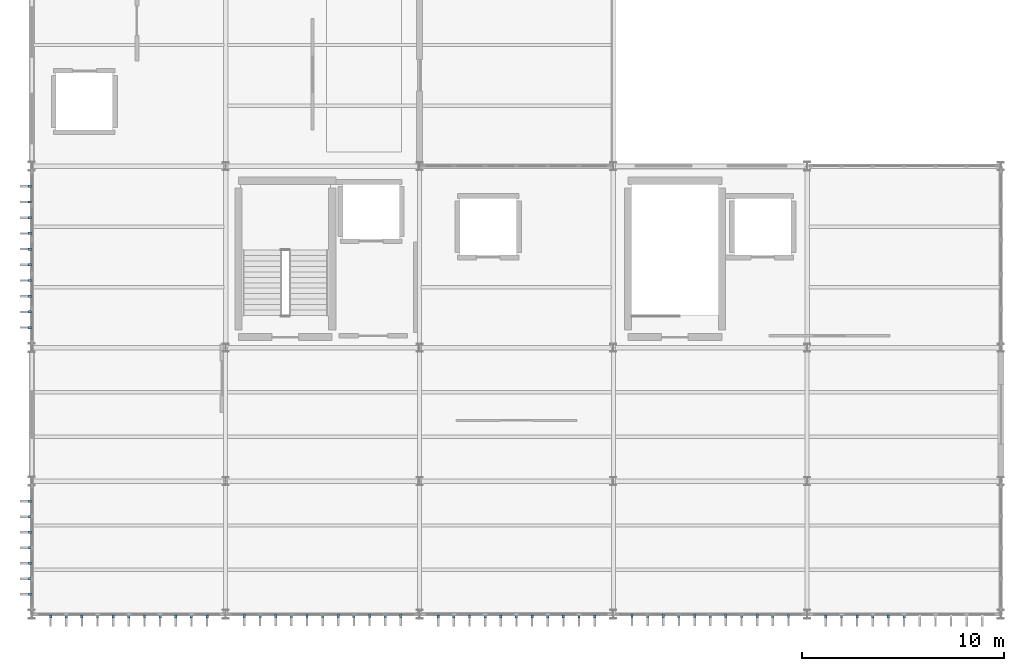
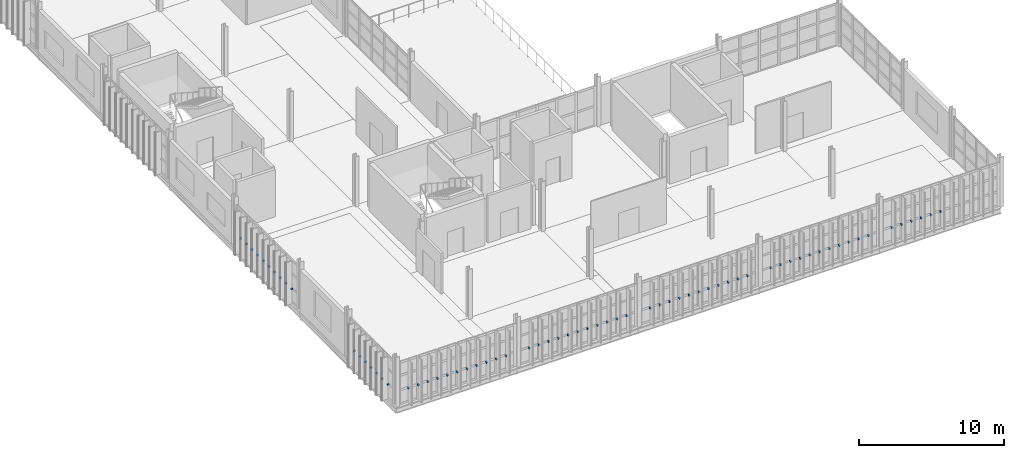
# One storey, part 21 of 38: 67 discrete accessories.
"""IFC4 building model written with IfcOpenShell, lengths in metres."""

from ifc_helpers import new_model, si_unit, direction, frame, origin, origin_2d, place, context, subcontext, project, spatial, rectangle, extrude, material, type_object, element, save


model = new_model("IFC4")

# Units and contexts
model_context = context("Model", 3, precision=1e-05, world=origin(), true_north=direction((0.0, 1.0)))
body_context = subcontext(model_context, "Body", "Model", "MODEL_VIEW")
ifc_project = project(units=[si_unit("LENGTHUNIT", "METRE"), si_unit("AREAUNIT", "SQUARE_METRE"), si_unit("VOLUMEUNIT", "CUBIC_METRE"), si_unit("PLANEANGLEUNIT", "RADIAN"), si_unit("MASSUNIT", "GRAM", prefix="KILO")], contexts=[model_context])

# Site, building, storey
site_placement = place(None, origin())
site = spatial("IfcSite", under=ifc_project, at=site_placement, CompositionType="ELEMENT")
building_placement = place(site_placement, origin())
building = spatial("IfcBuilding", under=site, at=building_placement, Name="Zarnetskaya Central Station", CompositionType="ELEMENT")
storey_placement = place(building_placement, frame((0.0, 0.0, 18.60009765625)))
storey = spatial("IfcBuildingStorey", under=building, at=storey_placement, Name="L04", CompositionType="ELEMENT", Elevation=18.60009765625)

# Discrete accessories
ifc_material = material(Name="Steel S355", Category="steel")
discrete_accessory_type = type_object("IfcDiscreteAccessoryType", Name="ACC-FIN-BRACKET", PredefinedType="BRACKET", material=ifc_material)
for number, where, z_axis, x_axis, name in (
    (1, (-0.090087890625, 0.99365234375, 1.14990234375), (0.0, 0.0, 1.0), (0.0, 1.0, 0.0), "Timber fin fixing bracket CW-L04-047-01"),
    (2, (-0.090087890625, 1.762451171875, 1.14990234375), (0.0, 0.0, 1.0), (0.0, 1.0, 0.0), "Timber fin fixing bracket CW-L04-047-02"),
    (3, (-0.090087890625, 2.53125, 1.14990234375), (0.0, 0.0, 1.0), (0.0, 1.0, 0.0), "Timber fin fixing bracket CW-L04-047-03"),
    (4, (-0.090087890625, 3.300048828125, 1.14990234375), (0.0, 0.0, 1.0), (0.0, 1.0, 0.0), "Timber fin fixing bracket CW-L04-047-04"),
    (5, (-0.090087890625, 4.06884765625, 1.14990234375), (0.0, 0.0, 1.0), (0.0, 1.0, 0.0), "Timber fin fixing bracket CW-L04-047-05"),
    (6, (-0.090087890625, 4.83740234375, 1.14990234375), (0.0, 0.0, 1.0), (0.0, 1.0, 0.0), "Timber fin fixing bracket CW-L04-047-06"),
    (7, (-0.090087890625, 5.606201171875, 1.14990234375), (0.0, 0.0, 1.0), (0.0, 1.0, 0.0), "Timber fin fixing bracket CW-L04-047-07"),
    (8, (-0.110107421875, 14.202392578125, 1.14990234375), (0.0, 0.0, 1.0), (0.0, 1.0, 0.0), "Timber fin fixing bracket CW-L04-048-01"),
    (9, (-0.110107421875, 14.9794921875, 1.14990234375), (0.0, 0.0, 1.0), (0.0, 1.0, 0.0), "Timber fin fixing bracket CW-L04-048-02"),
    (10, (-0.110107421875, 15.7568359375, 1.14990234375), (0.0, 0.0, 1.0), (0.0, 1.0, 0.0), "Timber fin fixing bracket CW-L04-048-03"),
    (11, (-0.110107421875, 16.5341796875, 1.14990234375), (0.0, 0.0, 1.0), (0.0, 1.0, 0.0), "Timber fin fixing bracket CW-L04-048-04"),
    (12, (-0.110107421875, 17.311279296875, 1.14990234375), (0.0, 0.0, 1.0), (0.0, 1.0, 0.0), "Timber fin fixing bracket CW-L04-048-05"),
    (13, (-0.110107421875, 18.088623046875, 1.14990234375), (0.0, 0.0, 1.0), (0.0, 1.0, 0.0), "Timber fin fixing bracket CW-L04-048-06"),
    (14, (-0.110107421875, 18.865966796875, 1.14990234375), (0.0, 0.0, 1.0), (0.0, 1.0, 0.0), "Timber fin fixing bracket CW-L04-048-07"),
    (15, (-0.110107421875, 19.64306640625, 1.14990234375), (0.0, 0.0, 1.0), (0.0, 1.0, 0.0), "Timber fin fixing bracket CW-L04-048-08"),
    (16, (-0.110107421875, 20.42041015625, 1.14990234375), (0.0, 0.0, 1.0), (0.0, 1.0, 0.0), "Timber fin fixing bracket CW-L04-048-09"),
    (17, (-0.110107421875, 21.19775390625, 1.14990234375), (0.0, 0.0, 1.0), (0.0, 1.0, 0.0), "Timber fin fixing bracket CW-L04-048-10"),
    (18, (43.199951171875, -0.110107421875, 1.177734375), (0.0, 0.0, 1.0), (-1.0, 0.0, 0.0), "Timber fin fixing bracket CW-L04-058-06"),
    (19, (42.425048828125, -0.110107421875, 1.177734375), (0.0, 0.0, 1.0), (-1.0, 0.0, 0.0), "Timber fin fixing bracket CW-L04-058-07"),
    (20, (41.64990234375, -0.110107421875, 1.177734375), (0.0, 0.0, 1.0), (-1.0, 0.0, 0.0), "Timber fin fixing bracket CW-L04-058-08"),
    (21, (40.875, -0.110107421875, 1.177734375), (0.0, 0.0, 1.0), (-1.0, 0.0, 0.0), "Timber fin fixing bracket CW-L04-058-09"),
    (22, (40.10009765625, -0.110107421875, 1.177734375), (0.0, 0.0, 1.0), (-1.0, 0.0, 0.0), "Timber fin fixing bracket CW-L04-058-10"),
    (23, (39.324951171875, -0.110107421875, 1.177734375), (0.0, 0.0, 1.0), (-1.0, 0.0, 0.0), "Timber fin fixing bracket CW-L04-058-11"),
    (24, (37.47509765625, -0.090087890625, 1.14990234375), (0.0, 0.0, 1.0), (-1.0, 0.0, 0.0), "Timber fin fixing bracket CW-L04-059-01"),
    (25, (36.699951171875, -0.090087890625, 1.14990234375), (0.0, 0.0, 1.0), (-1.0, 0.0, 0.0), "Timber fin fixing bracket CW-L04-059-02"),
    (26, (35.925048828125, -0.090087890625, 1.14990234375), (0.0, 0.0, 1.0), (-1.0, 0.0, 0.0), "Timber fin fixing bracket CW-L04-059-03"),
    (27, (35.14990234375, -0.090087890625, 1.14990234375), (0.0, 0.0, 1.0), (-1.0, 0.0, 0.0), "Timber fin fixing bracket CW-L04-059-04"),
    (28, (34.375, -0.090087890625, 1.14990234375), (0.0, 0.0, 1.0), (-1.0, 0.0, 0.0), "Timber fin fixing bracket CW-L04-059-05"),
    (29, (33.60009765625, -0.090087890625, 1.14990234375), (0.0, 0.0, 1.0), (-1.0, 0.0, 0.0), "Timber fin fixing bracket CW-L04-059-06"),
    (30, (32.824951171875, -0.090087890625, 1.14990234375), (0.0, 0.0, 1.0), (-1.0, 0.0, 0.0), "Timber fin fixing bracket CW-L04-059-07"),
    (31, (32.050048828125, -0.090087890625, 1.14990234375), (0.0, 0.0, 1.0), (-1.0, 0.0, 0.0), "Timber fin fixing bracket CW-L04-059-08"),
    (32, (31.27490234375, -0.090087890625, 1.14990234375), (0.0, 0.0, 1.0), (-1.0, 0.0, 0.0), "Timber fin fixing bracket CW-L04-059-09"),
    (33, (30.5, -0.090087890625, 1.14990234375), (0.0, 0.0, 1.0), (-1.0, 0.0, 0.0), "Timber fin fixing bracket CW-L04-059-10"),
    (34, (29.72509765625, -0.090087890625, 1.14990234375), (0.0, 0.0, 1.0), (-1.0, 0.0, 0.0), "Timber fin fixing bracket CW-L04-059-11"),
    (35, (27.875, -0.110107421875, 1.14990234375), (0.0, 0.0, 1.0), (-1.0, 0.0, 0.0), "Timber fin fixing bracket CW-L04-060-01"),
    (36, (27.10009765625, -0.110107421875, 1.14990234375), (0.0, 0.0, 1.0), (-1.0, 0.0, 0.0), "Timber fin fixing bracket CW-L04-060-02"),
    (37, (26.324951171875, -0.110107421875, 1.14990234375), (0.0, 0.0, 1.0), (-1.0, 0.0, 0.0), "Timber fin fixing bracket CW-L04-060-03"),
    (38, (25.550048828125, -0.110107421875, 1.14990234375), (0.0, 0.0, 1.0), (-1.0, 0.0, 0.0), "Timber fin fixing bracket CW-L04-060-04"),
    (39, (24.77490234375, -0.110107421875, 1.14990234375), (0.0, 0.0, 1.0), (-1.0, 0.0, 0.0), "Timber fin fixing bracket CW-L04-060-05"),
    (40, (24.0, -0.110107421875, 1.14990234375), (0.0, 0.0, 1.0), (-1.0, 0.0, 0.0), "Timber fin fixing bracket CW-L04-060-06"),
    (41, (23.22509765625, -0.110107421875, 1.14990234375), (0.0, 0.0, 1.0), (-1.0, 0.0, 0.0), "Timber fin fixing bracket CW-L04-060-07"),
    (42, (22.449951171875, -0.110107421875, 1.14990234375), (0.0, 0.0, 1.0), (-1.0, 0.0, 0.0), "Timber fin fixing bracket CW-L04-060-08"),
    (43, (21.675048828125, -0.110107421875, 1.14990234375), (0.0, 0.0, 1.0), (-1.0, 0.0, 0.0), "Timber fin fixing bracket CW-L04-060-09"),
    (44, (20.89990234375, -0.110107421875, 1.14990234375), (0.0, 0.0, 1.0), (-1.0, 0.0, 0.0), "Timber fin fixing bracket CW-L04-060-10"),
    (45, (20.125, -0.110107421875, 1.14990234375), (0.0, 0.0, 1.0), (-1.0, 0.0, 0.0), "Timber fin fixing bracket CW-L04-060-11"),
    (46, (18.27490234375, -0.090087890625, 1.14990234375), (0.0, 0.0, 1.0), (-1.0, 0.0, 0.0), "Timber fin fixing bracket CW-L04-061-01"),
    (47, (17.5, -0.090087890625, 1.14990234375), (0.0, 0.0, 1.0), (-1.0, 0.0, 0.0), "Timber fin fixing bracket CW-L04-061-02"),
    (48, (16.72509765625, -0.090087890625, 1.14990234375), (0.0, 0.0, 1.0), (-1.0, 0.0, 0.0), "Timber fin fixing bracket CW-L04-061-03"),
    (49, (15.949951171875, -0.090087890625, 1.14990234375), (0.0, 0.0, 1.0), (-1.0, 0.0, 0.0), "Timber fin fixing bracket CW-L04-061-04"),
    (50, (15.175048828125, -0.090087890625, 1.14990234375), (0.0, 0.0, 1.0), (-1.0, 0.0, 0.0), "Timber fin fixing bracket CW-L04-061-05"),
    (51, (14.39990234375, -0.090087890625, 1.14990234375), (0.0, 0.0, 1.0), (-1.0, 0.0, 0.0), "Timber fin fixing bracket CW-L04-061-06"),
    (52, (13.625, -0.090087890625, 1.14990234375), (0.0, 0.0, 1.0), (-1.0, 0.0, 0.0), "Timber fin fixing bracket CW-L04-061-07"),
    (53, (12.85009765625, -0.090087890625, 1.14990234375), (0.0, 0.0, 1.0), (-1.0, 0.0, 0.0), "Timber fin fixing bracket CW-L04-061-08"),
    (54, (12.074951171875, -0.090087890625, 1.14990234375), (0.0, 0.0, 1.0), (-1.0, 0.0, 0.0), "Timber fin fixing bracket CW-L04-061-09"),
    (55, (11.300048828125, -0.090087890625, 1.14990234375), (0.0, 0.0, 1.0), (-1.0, 0.0, 0.0), "Timber fin fixing bracket CW-L04-061-10"),
    (56, (10.52490234375, -0.090087890625, 1.14990234375), (0.0, 0.0, 1.0), (-1.0, 0.0, 0.0), "Timber fin fixing bracket CW-L04-061-11"),
    (57, (8.675048828125, -0.110107421875, 1.14990234375), (0.0, 0.0, 1.0), (-1.0, 0.0, 0.0), "Timber fin fixing bracket CW-L04-062-01"),
    (58, (7.89990234375, -0.110107421875, 1.14990234375), (0.0, 0.0, 1.0), (-1.0, 0.0, 0.0), "Timber fin fixing bracket CW-L04-062-02"),
    (59, (7.125, -0.110107421875, 1.14990234375), (0.0, 0.0, 1.0), (-1.0, 0.0, 0.0), "Timber fin fixing bracket CW-L04-062-03"),
    (60, (6.35009765625, -0.110107421875, 1.14990234375), (0.0, 0.0, 1.0), (-1.0, 0.0, 0.0), "Timber fin fixing bracket CW-L04-062-04"),
    (61, (5.574951171875, -0.110107421875, 1.14990234375), (0.0, 0.0, 1.0), (-1.0, 0.0, 0.0), "Timber fin fixing bracket CW-L04-062-05"),
    (62, (4.800048828125, -0.110107421875, 1.14990234375), (0.0, 0.0, 1.0), (-1.0, 0.0, 0.0), "Timber fin fixing bracket CW-L04-062-06"),
    (63, (4.02490234375, -0.110107421875, 1.14990234375), (0.0, 0.0, 1.0), (-1.0, 0.0, 0.0), "Timber fin fixing bracket CW-L04-062-07"),
    (64, (3.25, -0.110107421875, 1.14990234375), (0.0, 0.0, 1.0), (-1.0, 0.0, 0.0), "Timber fin fixing bracket CW-L04-062-08"),
    (65, (2.47509765625, -0.110107421875, 1.14990234375), (0.0, 0.0, 1.0), (-1.0, 0.0, 0.0), "Timber fin fixing bracket CW-L04-062-09"),
    (66, (1.699951171875, -0.110107421875, 1.14990234375), (0.0, 0.0, 1.0), (-1.0, 0.0, 0.0), "Timber fin fixing bracket CW-L04-062-10"),
    (67, (0.925048828125, -0.110107421875, 1.14990234375), (0.0, 0.0, 1.0), (-1.0, 0.0, 0.0), "Timber fin fixing bracket CW-L04-062-11"),
):
    element("IfcDiscreteAccessory", number, at=place(storey_placement, frame(where, z_axis=z_axis, x_axis=x_axis)), inside=storey, type_object=discrete_accessory_type, Name=name, PredefinedType="BRACKET", context=body_context, shape_type="SweptSolid", body=[
        extrude(rectangle(XDim=0.1201171875, YDim=0.159912109375, at=origin_2d()), origin(), (0.0, 0.0, 1.0), 0.1201171875),
    ])

save(model, "model.ifc")
